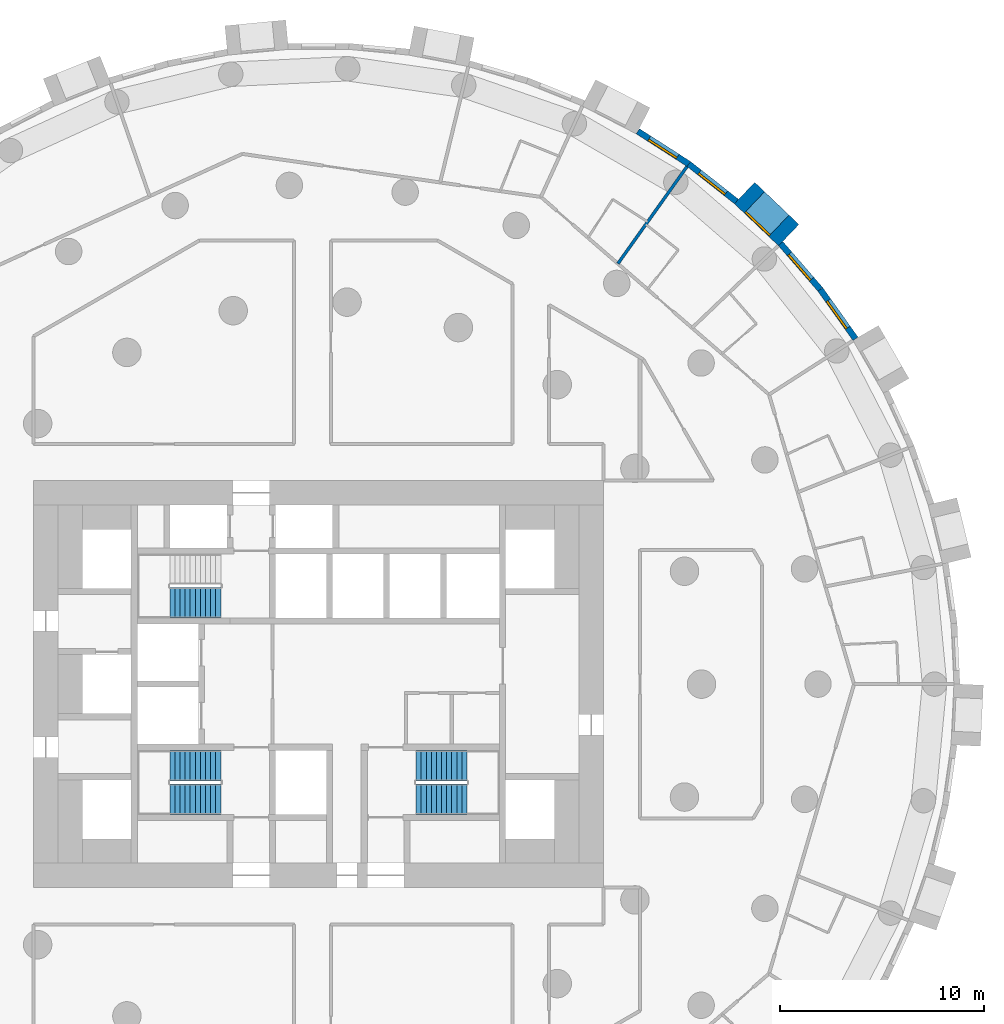
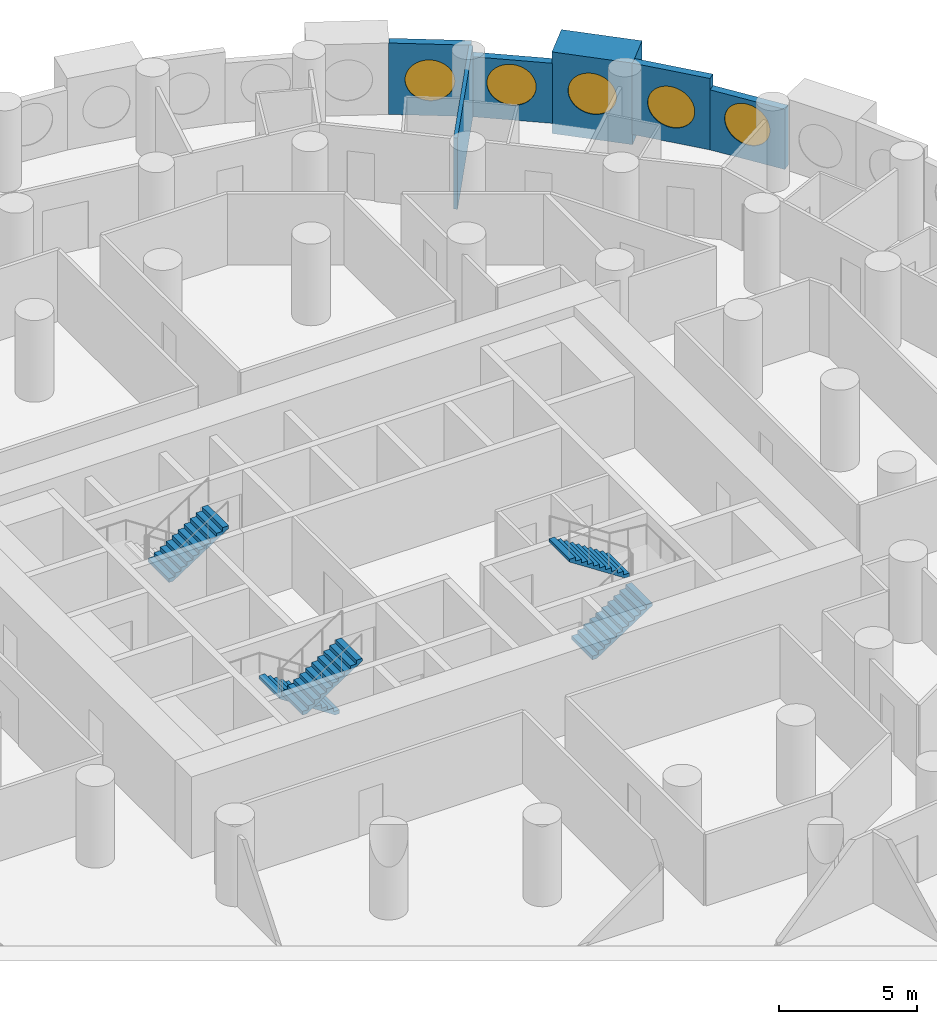
# One storey, part 10 of 12: 6 walls, 5 stair flights, 5 windows, 5 openings, 3 elements without a shape of their own.
"""IFC4 building model written with IfcOpenShell, lengths in metres."""

from ifc_helpers import new_model, si_unit, direction, frame, frame_2d, origin, origin_2d, place, context, subcontext, project, spatial, polyline, rectangle, circle, outline, extrude, material, layer, layer_set, type_object, element, fill, aggregate, save


model = new_model("IFC4")

# Units and contexts
model_context = context("Model", 3, precision=1e-05, world=origin(), true_north=direction((0.0, 1.0)))
body_context = subcontext(model_context, "Body", "Model", "MODEL_VIEW")
ifc_project = project(units=[si_unit("LENGTHUNIT", "METRE"), si_unit("AREAUNIT", "SQUARE_METRE"), si_unit("VOLUMEUNIT", "CUBIC_METRE"), si_unit("PLANEANGLEUNIT", "RADIAN"), si_unit("MASSUNIT", "GRAM", prefix="KILO")], contexts=[model_context])

# Site, building, storey
site_placement = place(None, origin())
site = spatial("IfcSite", under=ifc_project, at=site_placement, CompositionType="ELEMENT")
building_placement = place(site_placement, origin())
building = spatial("IfcBuilding", under=site, at=building_placement, Name="Tracery Tower", CompositionType="ELEMENT")
storey_placement = place(building_placement, frame((0.0, 0.0, 78.60009765625)))
storey = spatial("IfcBuildingStorey", under=building, at=storey_placement, Name="L19", CompositionType="ELEMENT", Elevation=78.60009765625)

# Wall, opening, window
ifc_material_1 = material(Name="Precast concrete C50/60", Category="concrete")
ifc_layer_1 = layer(ifc_material_1, 1.449951171875)
ifc_layer_set_1 = layer_set([ifc_layer_1], Name="Deep-set bay unit 3000 x 3600, slab edge 450")
wall_type_1 = type_object("IfcWallType", Name="Deep-set bay unit 3000 x 3600, slab edge 450", PredefinedType="ELEMENTEDWALL", material=ifc_layer_set_1)
wall_1_placement = place(storey_placement, frame((23.108642578125, 22.06201171875, -0.4501953125), z_axis=(0.0, 0.0, 1.0), x_axis=(-0.723712023899, 0.690102098579, 0.0)))
wall_1 = element("IfcWall", 1, at=wall_1_placement, inside=storey, type_object=wall_type_1, Name="Deep-set bay unit 9 at L19", PredefinedType="ELEMENTEDWALL", context=body_context, shape_type="SweptSolid", body=[
    extrude(rectangle(XDim=3.0, YDim=1.449951171875, at=frame_2d((1.5, 0.0))), origin(), (0.0, 0.0, 1.0), 3.60009765625),
])
opening_1_placement = place(wall_1_placement, frame((1.5, 0.0, 2.0)))
opening_1 = element("IfcOpeningElement", 2, at=opening_1_placement, cuts=wall_1, Name="Opening WN1", PredefinedType="OPENING", context=body_context, shape_type="SweptSolid", body=[
    extrude(circle(Radius=0.9000244140625, at=origin_2d()), frame((0.0, 0.73486328125, 0.0), z_axis=(0.0, -1.0, 0.0), x_axis=(1.0, 0.0, 0.0)), (0.0, 0.0, 1.0), 1.469970703125),
])
ifc_material_2 = material(Name="Aluminium frame with tinted double glazing", Category="aluminium")
window_type = type_object("IfcWindowType", Name="Round window 1800", PartitioningType="SINGLE_PANEL", PredefinedType="WINDOW", material=ifc_material_2)
window_1_placement = place(opening_1_placement, origin())
window_1 = element("IfcWindow", 3, at=window_1_placement, inside=storey, type_object=window_type, Name="Round window 9 at L19", OverallHeight=1.800048828125, OverallWidth=1.800048828125, PartitioningType="SINGLE_PANEL", PredefinedType="WINDOW", context=body_context, shape_type="SweptSolid", body=[
    extrude(circle(Radius=0.9000244140625, at=origin_2d()), frame((0.0, 0.69482421875, 0.0), z_axis=(0.0, -1.0, 0.0), x_axis=(1.0, 0.0, 0.0)), (0.0, 0.0, 1.0), 0.10009765625),
])
fill(opening_1, window_1)

ifc_material_3 = material(Name="Precast concrete C50/60", Category="concrete")
ifc_layer_2 = layer(ifc_material_3, 0.300048828125)
ifc_layer_set_2 = layer_set([ifc_layer_2], Name="Facade panel 3000 x 2650")
wall_type_2 = type_object("IfcWallType", Name="Facade panel 3000 x 2650", PredefinedType="SOLIDWALL", material=ifc_layer_set_2)
wall_2_placement = place(storey_placement, frame((26.390380859375, 16.96728515625, 0.0), z_axis=(0.0, 0.0, 1.0), x_axis=(-0.580113774115, 0.814535456, 0.0)))
wall_2 = element("IfcWall", 4, at=wall_2_placement, inside=storey, type_object=wall_type_2, Name="Facade panel 7 at L19", PredefinedType="SOLIDWALL", context=body_context, shape_type="SweptSolid", body=[
    extrude(rectangle(XDim=2.979736328125, YDim=0.300048828125, at=frame_2d((1.48974609375, 0.0))), origin(), (0.0, 0.0, 1.0), 2.64990234375),
])
opening_2_placement = place(wall_2_placement, frame((1.48974609375, 0.0, 1.5498046875)))
opening_2 = element("IfcOpeningElement", 5, at=opening_2_placement, cuts=wall_2, Name="Opening WN1", PredefinedType="OPENING", context=body_context, shape_type="SweptSolid", body=[
    extrude(circle(Radius=0.9000244140625, at=origin_2d()), frame((0.0, 0.159912109375, 0.0), z_axis=(0.0, -1.0, 0.0), x_axis=(1.0, 0.0, 0.0)), (0.0, 0.0, 1.0), 0.320068359375),
])
window_2_placement = place(opening_2_placement, origin())
window_2 = element("IfcWindow", 6, at=window_2_placement, inside=storey, type_object=window_type, Name="Round window 7 at L19", OverallHeight=1.800048828125, OverallWidth=1.800048828125, PartitioningType="SINGLE_PANEL", PredefinedType="WINDOW", context=body_context, shape_type="SweptSolid", body=[
    extrude(circle(Radius=0.9000244140625, at=origin_2d()), frame((0.0, 0.1201171875, 0.0), z_axis=(0.0, -1.0, 0.0), x_axis=(1.0, 0.0, 0.0)), (0.0, 0.0, 1.0), 0.10009765625),
])
fill(opening_2, window_2)

wall_3_placement = place(storey_placement, frame((20.541015625, 23.715087890625, 0.0), z_axis=(0.0, 0.0, 1.0), x_axis=(-0.786053834673, 0.618158045322, 0.0)))
wall_3 = element("IfcWall", 7, at=wall_3_placement, inside=storey, type_object=wall_type_2, Name="Facade panel 10 at L19", PredefinedType="SOLIDWALL", context=body_context, shape_type="SweptSolid", body=[
    extrude(rectangle(XDim=2.9794921875, YDim=0.300048828125, at=frame_2d((1.48974609375, 0.0))), origin(), (0.0, 0.0, 1.0), 2.64990234375),
])
opening_3_placement = place(wall_3_placement, frame((1.48974609375, 0.0, 1.5498046875)))
opening_3 = element("IfcOpeningElement", 8, at=opening_3_placement, cuts=wall_3, Name="Opening WN1", PredefinedType="OPENING", context=body_context, shape_type="SweptSolid", body=[
    extrude(circle(Radius=0.9000244140625, at=origin_2d()), frame((0.0, 0.159912109375, 0.0), z_axis=(0.0, -1.0, 0.0), x_axis=(1.0, 0.0, 0.0)), (0.0, 0.0, 1.0), 0.320068359375),
])
window_3_placement = place(opening_3_placement, origin())
window_3 = element("IfcWindow", 9, at=window_3_placement, inside=storey, type_object=window_type, Name="Round window 10 at L19", OverallHeight=1.800048828125, OverallWidth=1.800048828125, PartitioningType="SINGLE_PANEL", PredefinedType="WINDOW", context=body_context, shape_type="SweptSolid", body=[
    extrude(circle(Radius=0.9000244140625, at=origin_2d()), frame((0.0, 0.1201171875, 0.0), z_axis=(0.0, -1.0, 0.0), x_axis=(1.0, 0.0, 0.0)), (0.0, 0.0, 1.0), 0.10009765625),
])
fill(opening_3, window_3)

ifc_material_4 = material(Name="Precast concrete C50/60", Category="concrete")
ifc_layer_3 = layer(ifc_material_4, 0.300048828125)
ifc_layer_set_3 = layer_set([ifc_layer_3], Name="Facade panel 3000 x 3150")
wall_type_3 = type_object("IfcWallType", Name="Facade panel 3000 x 3150", PredefinedType="SOLIDWALL", material=ifc_layer_set_3)
wall_4_placement = place(storey_placement, frame((24.661865234375, 19.394287109375, 0.0), z_axis=(0.0, 0.0, 1.0), x_axis=(-0.654830712471, 0.755775587066, 0.0)))
wall_4 = element("IfcWall", 10, at=wall_4_placement, inside=storey, type_object=wall_type_3, Name="Facade panel 8 at L19", PredefinedType="SOLIDWALL", context=body_context, shape_type="SweptSolid", body=[
    extrude(rectangle(XDim=2.979736328125, YDim=0.300048828125, at=frame_2d((1.48974609375, 0.0))), origin(), (0.0, 0.0, 1.0), 3.14990234375),
])
opening_4_placement = place(wall_4_placement, frame((1.48974609375, 0.0, 1.5498046875)))
opening_4 = element("IfcOpeningElement", 11, at=opening_4_placement, cuts=wall_4, Name="Opening WN1", PredefinedType="OPENING", context=body_context, shape_type="SweptSolid", body=[
    extrude(circle(Radius=0.9000244140625, at=origin_2d()), frame((0.0, 0.159912109375, 0.0), z_axis=(0.0, -1.0, 0.0), x_axis=(1.0, 0.0, 0.0)), (0.0, 0.0, 1.0), 0.320068359375),
])
window_4_placement = place(opening_4_placement, origin())
window_4 = element("IfcWindow", 12, at=window_4_placement, inside=storey, type_object=window_type, Name="Round window 8 at L19", OverallHeight=1.800048828125, OverallWidth=1.800048828125, PartitioningType="SINGLE_PANEL", PredefinedType="WINDOW", context=body_context, shape_type="SweptSolid", body=[
    extrude(circle(Radius=0.9000244140625, at=origin_2d()), frame((0.0, 0.1201171875, 0.0), z_axis=(0.0, -1.0, 0.0), x_axis=(1.0, 0.0, 0.0)), (0.0, 0.0, 1.0), 0.10009765625),
])
fill(opening_4, window_4)

wall_5_placement = place(storey_placement, frame((18.198974609375, 25.556884765625, 0.0), z_axis=(0.0, 0.0, 1.0), x_axis=(-0.841260995538, 0.54062920508, 0.0)))
wall_5 = element("IfcWall", 13, at=wall_5_placement, inside=storey, type_object=wall_type_3, Name="Facade panel 11 at L19", PredefinedType="SOLIDWALL", context=body_context, shape_type="SweptSolid", body=[
    extrude(rectangle(XDim=2.9794921875, YDim=0.300048828125, at=frame_2d((1.48974609375, 0.0))), origin(), (0.0, 0.0, 1.0), 3.14990234375),
])
opening_5_placement = place(wall_5_placement, frame((1.48974609375, 0.0, 1.5498046875)))
opening_5 = element("IfcOpeningElement", 14, at=opening_5_placement, cuts=wall_5, Name="Opening WN1", PredefinedType="OPENING", context=body_context, shape_type="SweptSolid", body=[
    extrude(circle(Radius=0.9000244140625, at=origin_2d()), frame((0.0, 0.159912109375, 0.0), z_axis=(0.0, -1.0, 0.0), x_axis=(1.0, 0.0, 0.0)), (0.0, 0.0, 1.0), 0.320068359375),
])
window_5_placement = place(opening_5_placement, origin())
window_5 = element("IfcWindow", 15, at=window_5_placement, inside=storey, type_object=window_type, Name="Round window 11 at L19", OverallHeight=1.800048828125, OverallWidth=1.800048828125, PartitioningType="SINGLE_PANEL", PredefinedType="WINDOW", context=body_context, shape_type="SweptSolid", body=[
    extrude(circle(Radius=0.9000244140625, at=origin_2d()), frame((0.0, 0.1201171875, 0.0), z_axis=(0.0, -1.0, 0.0), x_axis=(1.0, 0.0, 0.0)), (0.0, 0.0, 1.0), 0.10009765625),
])
fill(opening_5, window_5)

# Wall
ifc_material_5 = material(Name="Plasterboard on steel studs", Category="steel")
ifc_layer_4 = layer(ifc_material_5, 0.14990234375)
ifc_layer_set_4 = layer_set([ifc_layer_4], Name="Partition 150 acoustic unit wall")
wall_type_4 = type_object("IfcWallType", Name="Partition 150 acoustic unit wall", PredefinedType="PARTITIONING", material=ifc_layer_set_4)
wall_6_placement = place(storey_placement, frame((14.71533203125, 20.663818359375, 0.0), z_axis=(0.0, 0.0, 1.0), x_axis=(0.57995989616, 0.814645026282, 0.0)))
element("IfcWall", 16, at=wall_6_placement, inside=storey, type_object=wall_type_4, Name="Unit wall RA5-073", PredefinedType="PARTITIONING", context=body_context, shape_type="SweptSolid", body=[
    extrude(rectangle(XDim=5.85693359375, YDim=0.14990234375, at=frame_2d((2.928466796875, 0.0))), origin(), (0.0, 0.0, 1.0), 3.14990234375),
])

# Stair, stair flights
ifc_material_6 = material(Name="Concrete C32/40", Category="concrete")
stair_type = type_object("IfcStairType", Name="Core stair 22 risers", PredefinedType="HALF_TURN_STAIR", material=ifc_material_6)
stair_1_placement = place(storey_placement, origin())
stair_1 = element("IfcStair", 17, at=stair_1_placement, inside=storey, type_object=stair_type, Name="L19 stair ST1", PredefinedType="HALF_TURN_STAIR")
ifc_material_7 = material(Name="Concrete C32/40", Category="concrete")
stair_flight_type = type_object("IfcStairFlightType", Name="Core stair flight 11 risers", PredefinedType="STRAIGHT", material=ifc_material_7)
stair_flight_1_placement = place(storey_placement, frame((-4.800048828125, -4.0, 0.0), z_axis=(0.0, 0.0, 1.0), x_axis=(-1.0, 0.0, 0.0)))
stair_flight_1 = element("IfcStairFlight", 18, at=stair_flight_1_placement, type_object=stair_flight_type, Name="ST1 flight 1", NumberOfRisers=11, NumberOfTreads=10, PredefinedType="STRAIGHT", RiserHeight=0.163636364, TreadLength=0.25, context=body_context, shape_type="SweptSolid", body=[
    extrude(outline(polyline([(0.0, 0.0), (0.0, 0.002685546875), (0.0, 0.00537109375), (0.0, 0.008056640625), (0.0, 0.0107421875), (0.0, 0.013427734375), (0.0, 0.01611328125), (0.0, 0.018798828125), (0.0, 0.021484375), (0.0, 0.024169921875), (0.0, 0.02685546875), (0.0, 0.029541015625), (0.0, 0.0322265625), (0.0, 0.034912109375), (0.0, 0.03759765625), (0.0, 0.040283203125), (0.0, 0.04296875), (0.0, 0.045654296875), (0.0, 0.04833984375), (0.0, 0.051025390625), (0.0, 0.0537109375), (0.0, 0.056396484375), (0.0, 0.05908203125), (0.0, 0.061767578125), (0.0, 0.064453125), (0.0, 0.067138671875), (0.0, 0.06982421875), (0.0, 0.072509765625), (0.0, 0.0751953125), (0.0, 0.077880859375), (0.0, 0.08056640625), (0.0, 0.083251953125), (0.0, 0.0859375), (0.0, 0.088623046875), (0.0, 0.09130859375), (0.0, 0.093994140625), (0.0, 0.0966796875), (0.0, 0.099365234375), (0.0, 0.10205078125), (0.0, 0.104736328125), (0.0, 0.107421875), (0.0, 0.10986328125), (0.0, 0.112548828125), (0.0, 0.115234375), (0.0, 0.117919921875), (0.0, 0.12060546875), (0.0, 0.123291015625), (0.0, 0.1259765625), (0.0, 0.128662109375), (0.0, 0.13134765625), (0.0, 0.134033203125), (0.0, 0.13671875), (0.0, 0.139404296875), (0.0, 0.14208984375), (0.0, 0.144775390625), (0.0, 0.1474609375), (0.0, 0.150146484375), (0.0, 0.15283203125), (0.0, 0.155517578125), (0.0, 0.158203125), (0.0, 0.160888671875), (0.0, 0.16357421875), (0.25, 0.16357421875), (0.25, 0.327392578125), (0.5, 0.327392578125), (0.5, 0.490966796875), (0.75, 0.490966796875), (0.75, 0.654541015625), (1.0, 0.654541015625), (1.0, 0.818115234375), (1.25, 0.818115234375), (1.25, 0.98193359375), (1.5, 0.98193359375), (1.5, 1.1455078125), (1.75, 1.1455078125), (1.75, 1.30908203125), (2.0, 1.30908203125), (2.0, 1.47265625), (2.25, 1.47265625), (2.25, 1.636474609375), (2.5, 1.636474609375), (2.5, 1.634521484375), (2.5, 1.63232421875), (2.5, 1.63037109375), (2.5, 1.62841796875), (2.5, 1.62646484375), (2.5, 1.62451171875), (2.5, 1.62255859375), (2.5, 1.62060546875), (2.5, 1.61865234375), (2.5, 1.61669921875), (2.5, 1.61474609375), (2.5, 1.61279296875), (2.5, 1.61083984375), (2.5, 1.60888671875), (2.5, 1.60693359375), (2.5, 1.60498046875), (2.5, 1.60302734375), (2.5, 1.60107421875), (2.5, 1.59912109375), (2.5, 1.59716796875), (2.5, 1.59521484375), (2.5, 1.59326171875), (2.5, 1.59130859375), (2.5, 1.58935546875), (2.5, 1.58740234375), (2.5, 1.58544921875), (2.5, 1.58349609375), (2.5, 1.58154296875), (2.5, 1.57958984375), (2.5, 1.57763671875), (2.5, 1.57568359375), (2.5, 1.573486328125), (2.5, 1.571533203125), (2.5, 1.569580078125), (2.5, 1.567626953125), (2.5, 1.565673828125), (2.5, 1.563720703125), (2.5, 1.561767578125), (2.5, 1.559814453125), (2.5, 1.557861328125), (2.5, 1.555908203125), (2.5, 1.553955078125), (2.5, 1.552001953125), (2.5, 1.550048828125), (2.5, 1.548095703125), (2.5, 1.546142578125), (2.5, 1.544189453125), (2.5, 1.542236328125), (2.5, 1.540283203125), (2.5, 1.538330078125), (2.5, 1.536376953125), (2.5, 1.534423828125), (2.5, 1.532470703125), (2.5, 1.530517578125), (2.5, 1.528564453125), (2.5, 1.526611328125), (2.5, 1.524658203125), (2.5, 1.522705078125), (2.5, 1.520751953125), (2.5, 1.518798828125), (2.5, 1.516845703125), (0.182861328125, 0.0), (0.0, 0.0)])), frame((0.0, 0.75, 0.0), z_axis=(0.0, -1.0, 0.0), x_axis=(1.0, 0.0, 0.0)), (0.0, 0.0, 1.0), 1.5),
])
stair_flight_2_placement = place(storey_placement, frame((-7.300048828125, -5.64990234375, 1.7998046875), z_axis=(0.0, 0.0, 1.0), x_axis=(1.0, 0.0, 0.0)))
stair_flight_2 = element("IfcStairFlight", 19, at=stair_flight_2_placement, type_object=stair_flight_type, Name="ST1 flight 2", NumberOfRisers=11, NumberOfTreads=10, PredefinedType="STRAIGHT", RiserHeight=0.163636364, TreadLength=0.25, context=body_context, shape_type="SweptSolid", body=[
    extrude(outline(polyline([(0.0, 0.0), (0.0, 0.002685546875), (0.0, 0.00537109375), (0.0, 0.008056640625), (0.0, 0.0107421875), (0.0, 0.013427734375), (0.0, 0.01611328125), (0.0, 0.018798828125), (0.0, 0.021484375), (0.0, 0.024169921875), (0.0, 0.02685546875), (0.0, 0.029541015625), (0.0, 0.0322265625), (0.0, 0.034912109375), (0.0, 0.03759765625), (0.0, 0.040283203125), (0.0, 0.04296875), (0.0, 0.045654296875), (0.0, 0.04833984375), (0.0, 0.051025390625), (0.0, 0.0537109375), (0.0, 0.056396484375), (0.0, 0.05908203125), (0.0, 0.061767578125), (0.0, 0.064453125), (0.0, 0.067138671875), (0.0, 0.06982421875), (0.0, 0.072509765625), (0.0, 0.0751953125), (0.0, 0.077880859375), (0.0, 0.08056640625), (0.0, 0.083251953125), (0.0, 0.0859375), (0.0, 0.088623046875), (0.0, 0.09130859375), (0.0, 0.093994140625), (0.0, 0.0966796875), (0.0, 0.099365234375), (0.0, 0.10205078125), (0.0, 0.104736328125), (0.0, 0.107421875), (0.0, 0.10986328125), (0.0, 0.112548828125), (0.0, 0.115234375), (0.0, 0.117919921875), (0.0, 0.12060546875), (0.0, 0.123291015625), (0.0, 0.1259765625), (0.0, 0.128662109375), (0.0, 0.13134765625), (0.0, 0.134033203125), (0.0, 0.13671875), (0.0, 0.139404296875), (0.0, 0.14208984375), (0.0, 0.144775390625), (0.0, 0.1474609375), (0.0, 0.150146484375), (0.0, 0.15283203125), (0.0, 0.155517578125), (0.0, 0.158203125), (0.0, 0.160888671875), (0.0, 0.16357421875), (0.25, 0.16357421875), (0.25, 0.327392578125), (0.5, 0.327392578125), (0.5, 0.490966796875), (0.75, 0.490966796875), (0.75, 0.654541015625), (1.0, 0.654541015625), (1.0, 0.818115234375), (1.25, 0.818115234375), (1.25, 0.98193359375), (1.5, 0.98193359375), (1.5, 1.1455078125), (1.75, 1.1455078125), (1.75, 1.30908203125), (2.0, 1.30908203125), (2.0, 1.47265625), (2.25, 1.47265625), (2.25, 1.636474609375), (2.5, 1.636474609375), (2.5, 1.634521484375), (2.5, 1.63232421875), (2.5, 1.63037109375), (2.5, 1.62841796875), (2.5, 1.62646484375), (2.5, 1.62451171875), (2.5, 1.62255859375), (2.5, 1.62060546875), (2.5, 1.61865234375), (2.5, 1.61669921875), (2.5, 1.61474609375), (2.5, 1.61279296875), (2.5, 1.61083984375), (2.5, 1.60888671875), (2.5, 1.60693359375), (2.5, 1.60498046875), (2.5, 1.60302734375), (2.5, 1.60107421875), (2.5, 1.59912109375), (2.5, 1.59716796875), (2.5, 1.59521484375), (2.5, 1.59326171875), (2.5, 1.59130859375), (2.5, 1.58935546875), (2.5, 1.58740234375), (2.5, 1.58544921875), (2.5, 1.58349609375), (2.5, 1.58154296875), (2.5, 1.57958984375), (2.5, 1.57763671875), (2.5, 1.57568359375), (2.5, 1.573486328125), (2.5, 1.571533203125), (2.5, 1.569580078125), (2.5, 1.567626953125), (2.5, 1.565673828125), (2.5, 1.563720703125), (2.5, 1.561767578125), (2.5, 1.559814453125), (2.5, 1.557861328125), (2.5, 1.555908203125), (2.5, 1.553955078125), (2.5, 1.552001953125), (2.5, 1.550048828125), (2.5, 1.548095703125), (2.5, 1.546142578125), (2.5, 1.544189453125), (2.5, 1.542236328125), (2.5, 1.540283203125), (2.5, 1.538330078125), (2.5, 1.536376953125), (2.5, 1.534423828125), (2.5, 1.532470703125), (2.5, 1.530517578125), (2.5, 1.528564453125), (2.5, 1.526611328125), (2.5, 1.524658203125), (2.5, 1.522705078125), (2.5, 1.520751953125), (2.5, 1.518798828125), (2.5, 1.516845703125), (0.182861328125, 0.0), (0.0, 0.0)])), frame((0.0, 0.75, 0.0), z_axis=(0.0, -1.0, 0.0), x_axis=(1.0, 0.0, 0.0)), (0.0, 0.0, 1.0), 1.5),
])
aggregate(stair_1, [stair_flight_1, stair_flight_2])

# Stair, stair flight
stair_2_placement = place(storey_placement, origin())
stair_2 = element("IfcStair", 20, at=stair_2_placement, inside=storey, type_object=stair_type, Name="L19 stair ST3", PredefinedType="HALF_TURN_STAIR")
stair_flight_3_placement = place(storey_placement, frame((-7.300048828125, 4.0, 1.7998046875), z_axis=(0.0, 0.0, 1.0), x_axis=(1.0, 0.0, 0.0)))
stair_flight_3 = element("IfcStairFlight", 21, at=stair_flight_3_placement, type_object=stair_flight_type, Name="ST3 flight 2", NumberOfRisers=11, NumberOfTreads=10, PredefinedType="STRAIGHT", RiserHeight=0.163636364, TreadLength=0.25, context=body_context, shape_type="SweptSolid", body=[
    extrude(outline(polyline([(0.0, 0.0), (0.0, 0.002685546875), (0.0, 0.00537109375), (0.0, 0.008056640625), (0.0, 0.0107421875), (0.0, 0.013427734375), (0.0, 0.01611328125), (0.0, 0.018798828125), (0.0, 0.021484375), (0.0, 0.024169921875), (0.0, 0.02685546875), (0.0, 0.029541015625), (0.0, 0.0322265625), (0.0, 0.034912109375), (0.0, 0.03759765625), (0.0, 0.040283203125), (0.0, 0.04296875), (0.0, 0.045654296875), (0.0, 0.04833984375), (0.0, 0.051025390625), (0.0, 0.0537109375), (0.0, 0.056396484375), (0.0, 0.05908203125), (0.0, 0.061767578125), (0.0, 0.064453125), (0.0, 0.067138671875), (0.0, 0.06982421875), (0.0, 0.072509765625), (0.0, 0.0751953125), (0.0, 0.077880859375), (0.0, 0.08056640625), (0.0, 0.083251953125), (0.0, 0.0859375), (0.0, 0.088623046875), (0.0, 0.09130859375), (0.0, 0.093994140625), (0.0, 0.0966796875), (0.0, 0.099365234375), (0.0, 0.10205078125), (0.0, 0.104736328125), (0.0, 0.107421875), (0.0, 0.10986328125), (0.0, 0.112548828125), (0.0, 0.115234375), (0.0, 0.117919921875), (0.0, 0.12060546875), (0.0, 0.123291015625), (0.0, 0.1259765625), (0.0, 0.128662109375), (0.0, 0.13134765625), (0.0, 0.134033203125), (0.0, 0.13671875), (0.0, 0.139404296875), (0.0, 0.14208984375), (0.0, 0.144775390625), (0.0, 0.1474609375), (0.0, 0.150146484375), (0.0, 0.15283203125), (0.0, 0.155517578125), (0.0, 0.158203125), (0.0, 0.160888671875), (0.0, 0.16357421875), (0.25, 0.16357421875), (0.25, 0.327392578125), (0.5, 0.327392578125), (0.5, 0.490966796875), (0.75, 0.490966796875), (0.75, 0.654541015625), (1.0, 0.654541015625), (1.0, 0.818115234375), (1.25, 0.818115234375), (1.25, 0.98193359375), (1.5, 0.98193359375), (1.5, 1.1455078125), (1.75, 1.1455078125), (1.75, 1.30908203125), (2.0, 1.30908203125), (2.0, 1.47265625), (2.25, 1.47265625), (2.25, 1.636474609375), (2.5, 1.636474609375), (2.5, 1.634521484375), (2.5, 1.63232421875), (2.5, 1.63037109375), (2.5, 1.62841796875), (2.5, 1.62646484375), (2.5, 1.62451171875), (2.5, 1.62255859375), (2.5, 1.62060546875), (2.5, 1.61865234375), (2.5, 1.61669921875), (2.5, 1.61474609375), (2.5, 1.61279296875), (2.5, 1.61083984375), (2.5, 1.60888671875), (2.5, 1.60693359375), (2.5, 1.60498046875), (2.5, 1.60302734375), (2.5, 1.60107421875), (2.5, 1.59912109375), (2.5, 1.59716796875), (2.5, 1.59521484375), (2.5, 1.59326171875), (2.5, 1.59130859375), (2.5, 1.58935546875), (2.5, 1.58740234375), (2.5, 1.58544921875), (2.5, 1.58349609375), (2.5, 1.58154296875), (2.5, 1.57958984375), (2.5, 1.57763671875), (2.5, 1.57568359375), (2.5, 1.573486328125), (2.5, 1.571533203125), (2.5, 1.569580078125), (2.5, 1.567626953125), (2.5, 1.565673828125), (2.5, 1.563720703125), (2.5, 1.561767578125), (2.5, 1.559814453125), (2.5, 1.557861328125), (2.5, 1.555908203125), (2.5, 1.553955078125), (2.5, 1.552001953125), (2.5, 1.550048828125), (2.5, 1.548095703125), (2.5, 1.546142578125), (2.5, 1.544189453125), (2.5, 1.542236328125), (2.5, 1.540283203125), (2.5, 1.538330078125), (2.5, 1.536376953125), (2.5, 1.534423828125), (2.5, 1.532470703125), (2.5, 1.530517578125), (2.5, 1.528564453125), (2.5, 1.526611328125), (2.5, 1.524658203125), (2.5, 1.522705078125), (2.5, 1.520751953125), (2.5, 1.518798828125), (2.5, 1.516845703125), (0.182861328125, 0.0), (0.0, 0.0)])), frame((0.0, 0.75, 0.0), z_axis=(0.0, -1.0, 0.0), x_axis=(1.0, 0.0, 0.0)), (0.0, 0.0, 1.0), 1.5),
])
aggregate(stair_2, [stair_flight_3])

# Stair, stair flights
stair_3_placement = place(storey_placement, origin())
stair_3 = element("IfcStair", 22, at=stair_3_placement, inside=storey, type_object=stair_type, Name="L19 stair ST2", PredefinedType="HALF_TURN_STAIR")
stair_flight_4_placement = place(storey_placement, frame((4.800048828125, -5.64990234375, 0.0), z_axis=(0.0, 0.0, 1.0), x_axis=(1.0, 0.0, 0.0)))
stair_flight_4 = element("IfcStairFlight", 23, at=stair_flight_4_placement, type_object=stair_flight_type, Name="ST2 flight 1", NumberOfRisers=11, NumberOfTreads=10, PredefinedType="STRAIGHT", RiserHeight=0.163636364, TreadLength=0.25, context=body_context, shape_type="SweptSolid", body=[
    extrude(outline(polyline([(0.0, 0.0), (0.0, 0.002685546875), (0.0, 0.00537109375), (0.0, 0.008056640625), (0.0, 0.0107421875), (0.0, 0.013427734375), (0.0, 0.01611328125), (0.0, 0.018798828125), (0.0, 0.021484375), (0.0, 0.024169921875), (0.0, 0.02685546875), (0.0, 0.029541015625), (0.0, 0.0322265625), (0.0, 0.034912109375), (0.0, 0.03759765625), (0.0, 0.040283203125), (0.0, 0.04296875), (0.0, 0.045654296875), (0.0, 0.04833984375), (0.0, 0.051025390625), (0.0, 0.0537109375), (0.0, 0.056396484375), (0.0, 0.05908203125), (0.0, 0.061767578125), (0.0, 0.064453125), (0.0, 0.067138671875), (0.0, 0.06982421875), (0.0, 0.072509765625), (0.0, 0.0751953125), (0.0, 0.077880859375), (0.0, 0.08056640625), (0.0, 0.083251953125), (0.0, 0.0859375), (0.0, 0.088623046875), (0.0, 0.09130859375), (0.0, 0.093994140625), (0.0, 0.0966796875), (0.0, 0.099365234375), (0.0, 0.10205078125), (0.0, 0.104736328125), (0.0, 0.107421875), (0.0, 0.10986328125), (0.0, 0.112548828125), (0.0, 0.115234375), (0.0, 0.117919921875), (0.0, 0.12060546875), (0.0, 0.123291015625), (0.0, 0.1259765625), (0.0, 0.128662109375), (0.0, 0.13134765625), (0.0, 0.134033203125), (0.0, 0.13671875), (0.0, 0.139404296875), (0.0, 0.14208984375), (0.0, 0.144775390625), (0.0, 0.1474609375), (0.0, 0.150146484375), (0.0, 0.15283203125), (0.0, 0.155517578125), (0.0, 0.158203125), (0.0, 0.160888671875), (0.0, 0.16357421875), (0.25, 0.16357421875), (0.25, 0.327392578125), (0.5, 0.327392578125), (0.5, 0.490966796875), (0.75, 0.490966796875), (0.75, 0.654541015625), (1.0, 0.654541015625), (1.0, 0.818115234375), (1.25, 0.818115234375), (1.25, 0.98193359375), (1.5, 0.98193359375), (1.5, 1.1455078125), (1.75, 1.1455078125), (1.75, 1.30908203125), (2.0, 1.30908203125), (2.0, 1.47265625), (2.25, 1.47265625), (2.25, 1.636474609375), (2.5, 1.636474609375), (2.5, 1.634521484375), (2.5, 1.63232421875), (2.5, 1.63037109375), (2.5, 1.62841796875), (2.5, 1.62646484375), (2.5, 1.62451171875), (2.5, 1.62255859375), (2.5, 1.62060546875), (2.5, 1.61865234375), (2.5, 1.61669921875), (2.5, 1.61474609375), (2.5, 1.61279296875), (2.5, 1.61083984375), (2.5, 1.60888671875), (2.5, 1.60693359375), (2.5, 1.60498046875), (2.5, 1.60302734375), (2.5, 1.60107421875), (2.5, 1.59912109375), (2.5, 1.59716796875), (2.5, 1.59521484375), (2.5, 1.59326171875), (2.5, 1.59130859375), (2.5, 1.58935546875), (2.5, 1.58740234375), (2.5, 1.58544921875), (2.5, 1.58349609375), (2.5, 1.58154296875), (2.5, 1.57958984375), (2.5, 1.57763671875), (2.5, 1.57568359375), (2.5, 1.573486328125), (2.5, 1.571533203125), (2.5, 1.569580078125), (2.5, 1.567626953125), (2.5, 1.565673828125), (2.5, 1.563720703125), (2.5, 1.561767578125), (2.5, 1.559814453125), (2.5, 1.557861328125), (2.5, 1.555908203125), (2.5, 1.553955078125), (2.5, 1.552001953125), (2.5, 1.550048828125), (2.5, 1.548095703125), (2.5, 1.546142578125), (2.5, 1.544189453125), (2.5, 1.542236328125), (2.5, 1.540283203125), (2.5, 1.538330078125), (2.5, 1.536376953125), (2.5, 1.534423828125), (2.5, 1.532470703125), (2.5, 1.530517578125), (2.5, 1.528564453125), (2.5, 1.526611328125), (2.5, 1.524658203125), (2.5, 1.522705078125), (2.5, 1.520751953125), (2.5, 1.518798828125), (2.5, 1.516845703125), (0.182861328125, 0.0), (0.0, 0.0)])), frame((0.0, 0.75, 0.0), z_axis=(0.0, -1.0, 0.0), x_axis=(1.0, 0.0, 0.0)), (0.0, 0.0, 1.0), 1.5),
])
stair_flight_5_placement = place(storey_placement, frame((7.300048828125, -4.0, 1.7998046875), z_axis=(0.0, 0.0, 1.0), x_axis=(-1.0, 0.0, 0.0)))
stair_flight_5 = element("IfcStairFlight", 24, at=stair_flight_5_placement, type_object=stair_flight_type, Name="ST2 flight 2", NumberOfRisers=11, NumberOfTreads=10, PredefinedType="STRAIGHT", RiserHeight=0.163636364, TreadLength=0.25, context=body_context, shape_type="SweptSolid", body=[
    extrude(outline(polyline([(0.0, 0.0), (0.0, 0.002685546875), (0.0, 0.00537109375), (0.0, 0.008056640625), (0.0, 0.0107421875), (0.0, 0.013427734375), (0.0, 0.01611328125), (0.0, 0.018798828125), (0.0, 0.021484375), (0.0, 0.024169921875), (0.0, 0.02685546875), (0.0, 0.029541015625), (0.0, 0.0322265625), (0.0, 0.034912109375), (0.0, 0.03759765625), (0.0, 0.040283203125), (0.0, 0.04296875), (0.0, 0.045654296875), (0.0, 0.04833984375), (0.0, 0.051025390625), (0.0, 0.0537109375), (0.0, 0.056396484375), (0.0, 0.05908203125), (0.0, 0.061767578125), (0.0, 0.064453125), (0.0, 0.067138671875), (0.0, 0.06982421875), (0.0, 0.072509765625), (0.0, 0.0751953125), (0.0, 0.077880859375), (0.0, 0.08056640625), (0.0, 0.083251953125), (0.0, 0.0859375), (0.0, 0.088623046875), (0.0, 0.09130859375), (0.0, 0.093994140625), (0.0, 0.0966796875), (0.0, 0.099365234375), (0.0, 0.10205078125), (0.0, 0.104736328125), (0.0, 0.107421875), (0.0, 0.10986328125), (0.0, 0.112548828125), (0.0, 0.115234375), (0.0, 0.117919921875), (0.0, 0.12060546875), (0.0, 0.123291015625), (0.0, 0.1259765625), (0.0, 0.128662109375), (0.0, 0.13134765625), (0.0, 0.134033203125), (0.0, 0.13671875), (0.0, 0.139404296875), (0.0, 0.14208984375), (0.0, 0.144775390625), (0.0, 0.1474609375), (0.0, 0.150146484375), (0.0, 0.15283203125), (0.0, 0.155517578125), (0.0, 0.158203125), (0.0, 0.160888671875), (0.0, 0.16357421875), (0.25, 0.16357421875), (0.25, 0.327392578125), (0.5, 0.327392578125), (0.5, 0.490966796875), (0.75, 0.490966796875), (0.75, 0.654541015625), (1.0, 0.654541015625), (1.0, 0.818115234375), (1.25, 0.818115234375), (1.25, 0.98193359375), (1.5, 0.98193359375), (1.5, 1.1455078125), (1.75, 1.1455078125), (1.75, 1.30908203125), (2.0, 1.30908203125), (2.0, 1.47265625), (2.25, 1.47265625), (2.25, 1.636474609375), (2.5, 1.636474609375), (2.5, 1.634521484375), (2.5, 1.63232421875), (2.5, 1.63037109375), (2.5, 1.62841796875), (2.5, 1.62646484375), (2.5, 1.62451171875), (2.5, 1.62255859375), (2.5, 1.62060546875), (2.5, 1.61865234375), (2.5, 1.61669921875), (2.5, 1.61474609375), (2.5, 1.61279296875), (2.5, 1.61083984375), (2.5, 1.60888671875), (2.5, 1.60693359375), (2.5, 1.60498046875), (2.5, 1.60302734375), (2.5, 1.60107421875), (2.5, 1.59912109375), (2.5, 1.59716796875), (2.5, 1.59521484375), (2.5, 1.59326171875), (2.5, 1.59130859375), (2.5, 1.58935546875), (2.5, 1.58740234375), (2.5, 1.58544921875), (2.5, 1.58349609375), (2.5, 1.58154296875), (2.5, 1.57958984375), (2.5, 1.57763671875), (2.5, 1.57568359375), (2.5, 1.573486328125), (2.5, 1.571533203125), (2.5, 1.569580078125), (2.5, 1.567626953125), (2.5, 1.565673828125), (2.5, 1.563720703125), (2.5, 1.561767578125), (2.5, 1.559814453125), (2.5, 1.557861328125), (2.5, 1.555908203125), (2.5, 1.553955078125), (2.5, 1.552001953125), (2.5, 1.550048828125), (2.5, 1.548095703125), (2.5, 1.546142578125), (2.5, 1.544189453125), (2.5, 1.542236328125), (2.5, 1.540283203125), (2.5, 1.538330078125), (2.5, 1.536376953125), (2.5, 1.534423828125), (2.5, 1.532470703125), (2.5, 1.530517578125), (2.5, 1.528564453125), (2.5, 1.526611328125), (2.5, 1.524658203125), (2.5, 1.522705078125), (2.5, 1.520751953125), (2.5, 1.518798828125), (2.5, 1.516845703125), (0.182861328125, 0.0), (0.0, 0.0)])), frame((0.0, 0.75, 0.0), z_axis=(0.0, -1.0, 0.0), x_axis=(1.0, 0.0, 0.0)), (0.0, 0.0, 1.0), 1.5),
])
aggregate(stair_3, [stair_flight_4, stair_flight_5])

save(model, "model.ifc")
